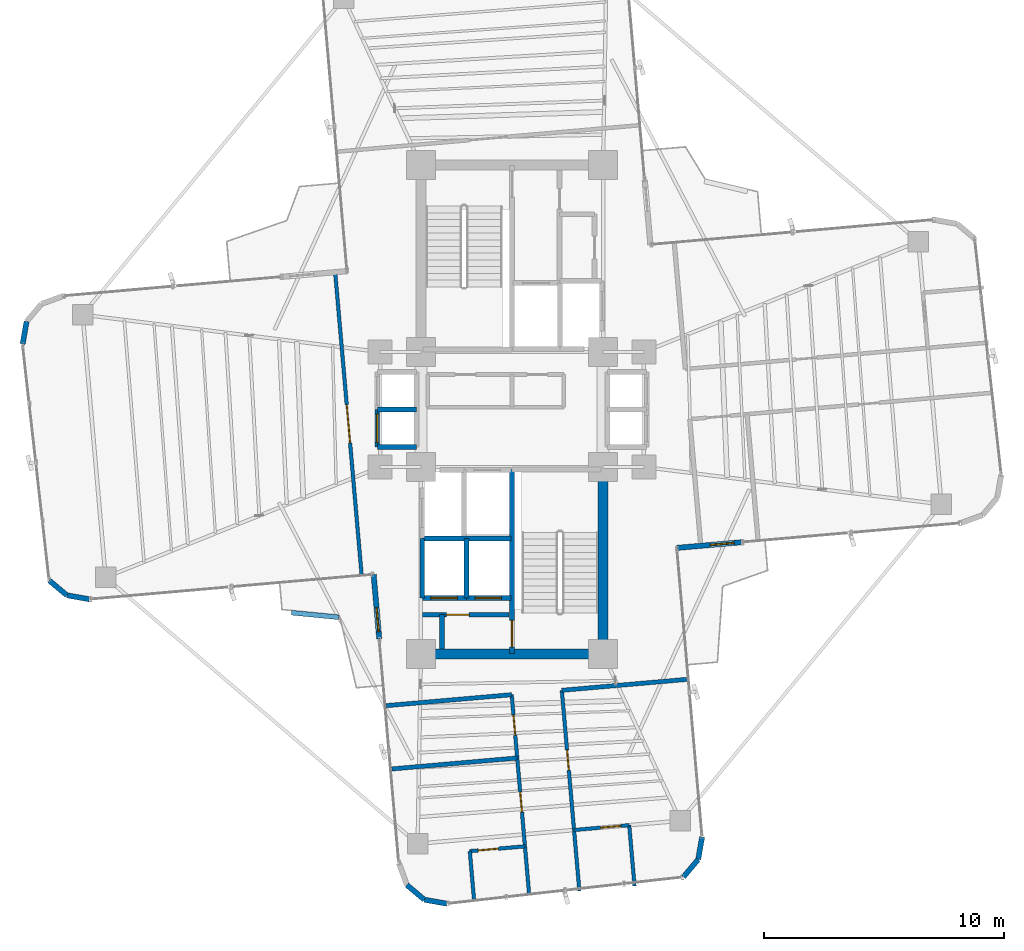
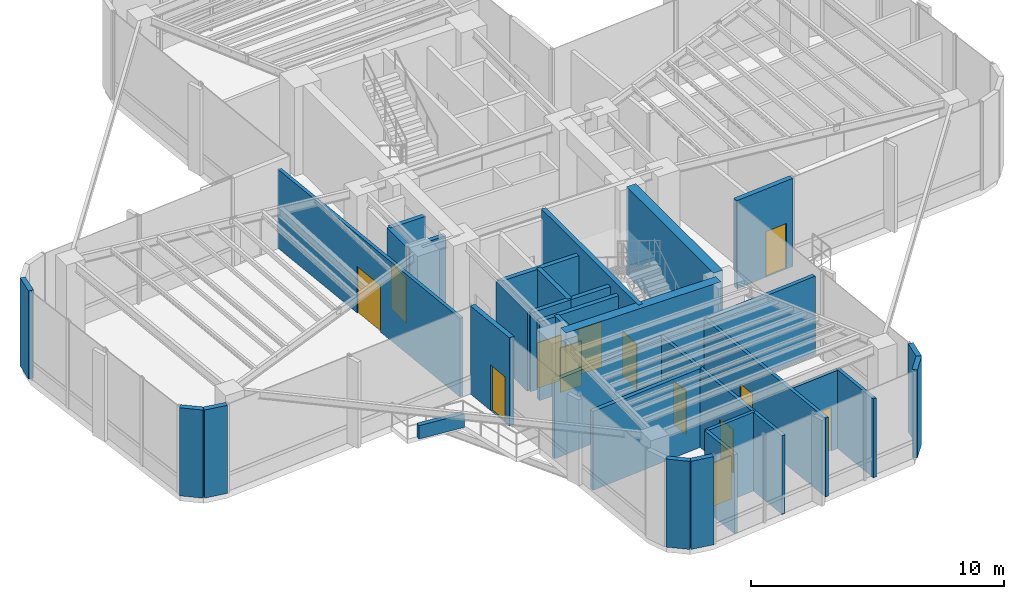
# One storey, part 16 of 19: 33 walls, 13 doors, 13 openings.
"""IFC4 building model written with IfcOpenShell, lengths in metres."""

from ifc_helpers import new_model, si_unit, direction, frame, frame_2d, origin, origin_2d, place, context, subcontext, project, spatial, rectangle, extrude, source, transform, mapped, material, layer, layer_set, type_object, element, fill, save


model = new_model("IFC4")

# Units and contexts
model_context = context("Model", 3, precision=1e-05, world=origin(), true_north=direction((0.0, 1.0)))
body_context = subcontext(model_context, "Body", "Model", "MODEL_VIEW")
ifc_project = project(units=[si_unit("LENGTHUNIT", "METRE"), si_unit("AREAUNIT", "SQUARE_METRE"), si_unit("VOLUMEUNIT", "CUBIC_METRE"), si_unit("PLANEANGLEUNIT", "RADIAN"), si_unit("MASSUNIT", "GRAM", prefix="KILO")], contexts=[model_context])

# Site, building, storey
site_placement = place(None, origin())
site = spatial("IfcSite", under=ifc_project, at=site_placement, CompositionType="ELEMENT")
building_placement = place(site_placement, origin())
building = spatial("IfcBuilding", under=site, at=building_placement, Name="Sahyath Konkavel Grand Hotel", CompositionType="ELEMENT")
storey_placement = place(building_placement, frame((0.0, 0.0, 142.75)))
storey = spatial("IfcBuildingStorey", under=building, at=storey_placement, Name="L39", CompositionType="ELEMENT", Elevation=142.75)

# Walls
ifc_material_1 = material(Name="Concrete C50/60", Category="concrete")
ifc_layer_1 = layer(ifc_material_1, 0.419921875)
ifc_layer_set_1 = layer_set([ifc_layer_1], Name="Concrete C50/60")
wall_type_1 = type_object("IfcWallType", Name="CWALL-420", PredefinedType="SHEAR", material=ifc_layer_set_1)
wall_1_placement = place(storey_placement, frame((-3.550048828125, -10.199951171875, 0.0), z_axis=(0.0, 0.0, 1.0), x_axis=(1.0, 0.0, 0.0)))
element("IfcWall", 1, at=wall_1_placement, inside=storey, type_object=wall_type_1, Name="L39 South Core Shear Wall S", PredefinedType="SHEAR", context=body_context, shape_type="SweptSolid", body=[
    extrude(rectangle(XDim=7.10009765625, YDim=0.419921875, at=frame_2d((3.550048828125, 0.0))), origin(), (0.0, 0.0, 1.0), 4.260009765625),
])
wall_2_placement = place(storey_placement, frame((3.800048828125, -9.75, 0.0), z_axis=(0.0, 0.0, 1.0), x_axis=(0.0, 1.0, 0.0)))
element("IfcWall", 2, at=wall_2_placement, inside=storey, type_object=wall_type_1, Name="L39 South Core Shear Wall E", PredefinedType="SHEAR", context=body_context, shape_type="SweptSolid", body=[
    extrude(rectangle(XDim=6.89990234375, YDim=0.419921875, at=frame_2d((3.449951171875, 0.0))), origin(), (0.0, 0.0, 1.0), 4.260009765625),
])

# Wall, opening, door
ifc_material_2 = material(Name="Warm Buff Sandstone Insulated Concrete C40/50", Category="masonry")
ifc_layer_2 = layer(ifc_material_2, 0.219970703125)
ifc_layer_set_2 = layer_set([ifc_layer_2], Name="Warm Buff Sandstone Insulated Concrete C40/50")
wall_type_2 = type_object("IfcWallType", Name="WLL-BALC-THRESH", PredefinedType="STANDARD", material=ifc_layer_set_2)
wall_3_placement = place(storey_placement, frame((6.87939453125, -5.7724609375, 0.0), z_axis=(0.0, 0.0, 1.0), x_axis=(0.996193619346, 0.087168071984, 0.0)))
wall_3 = element("IfcWall", 3, at=wall_3_placement, inside=storey, type_object=wall_type_2, Name="L39 Winter-Garden Threshold Wall 0", PredefinedType="STANDARD", context=body_context, shape_type="SweptSolid", body=[
    extrude(rectangle(XDim=2.699951171875, YDim=0.219970703125, at=frame_2d((1.35009765625, 0.0))), origin(), (0.0, 0.0, 1.0), 4.260009765625),
])
opening_1_placement = place(wall_3_placement, frame((1.39990234375, 0.0, 0.0)))
opening_1 = element("IfcOpeningElement", 4, at=opening_1_placement, cuts=wall_3, Name="Opening D-TR1", PredefinedType="OPENING", context=body_context, shape_type="SweptSolid", body=[
    extrude(rectangle(XDim=1.0, YDim=2.199951171875, at=frame_2d((0.5, 1.10009765625))), frame((0.0, 0.1201171875, 0.0), z_axis=(0.0, -1.0, 0.0), x_axis=(1.0, 0.0, 0.0)), (0.0, 0.0, 1.0), 0.239990234375),
])
ifc_material_3 = material(Name="Anodised Bronze Aluminium & Low-E Glazing", Category="aluminium")
door_type_1 = type_object("IfcDoorType", Name="DR-TERRACE-1000", OperationType="NOTDEFINED", PredefinedType="DOOR", material=ifc_material_3)
shared_shape_1 = source(origin(), body_context, "Body", "SweptSolid", [
    extrude(rectangle(XDim=1.0, YDim=0.050048828125, at=origin_2d()), origin(), (0.0, 0.0, 1.0), 2.199951171875),
])
door_1_placement = place(opening_1_placement, frame((0.5, 0.0, 0.0)))
door_1 = element("IfcDoor", 5, at=door_1_placement, inside=storey, type_object=door_type_1, Name="L39 Winter-Garden Terrace Door 0", OperationType="SINGLE_SWING_LEFT", OverallHeight=2.199951171875, OverallWidth=1.0, PredefinedType="DOOR", context=body_context, shape_type="MappedRepresentation", body=[
    mapped(shared_shape_1, transform((0.0, 0.0, 0.0), scale=1.0)),
])
fill(opening_1, door_1)

# Walls
wall_4_placement = place(storey_placement, frame((-20.24951171875, 3.674072265625, 0.0), z_axis=(0.0, 0.0, 1.0), x_axis=(-0.173610811841, -0.984814340885, 0.0)))
element("IfcWall", 6, at=wall_4_placement, inside=storey, type_object=wall_type_2, Name="L39 Rounded Corner Sandstone Pier 19", PredefinedType="STANDARD", context=body_context, shape_type="SweptSolid", body=[
    extrude(rectangle(XDim=0.957763671875, YDim=0.219970703125, at=frame_2d((0.47900390625, 0.0))), origin(), (0.0, 0.0, 1.0), 4.260009765625),
])
wall_5_placement = place(storey_placement, frame((-19.3037109375, -7.134521484375, 0.0), z_axis=(0.0, 0.0, 1.0), x_axis=(0.766001159887, -0.642839189107, 0.0)))
element("IfcWall", 7, at=wall_5_placement, inside=storey, type_object=wall_type_2, Name="L39 Rounded Corner Sandstone Pier 21", PredefinedType="STANDARD", context=body_context, shape_type="SweptSolid", body=[
    extrude(rectangle(XDim=0.95751953125, YDim=0.219970703125, at=frame_2d((0.478759765625, 0.0))), origin(), (0.0, 0.0, 1.0), 4.260009765625),
])
wall_6_placement = place(storey_placement, frame((-18.5703125, -7.75, 0.0), z_axis=(0.0, 0.0, 1.0), x_axis=(0.984770724397, -0.173858046606, 0.0)))
element("IfcWall", 8, at=wall_6_placement, inside=storey, type_object=wall_type_2, Name="L39 Rounded Corner Sandstone Pier 22", PredefinedType="STANDARD", context=body_context, shape_type="SweptSolid", body=[
    extrude(rectangle(XDim=0.957763671875, YDim=0.219970703125, at=frame_2d((0.47900390625, 0.0))), origin(), (0.0, 0.0, 1.0), 4.260009765625),
])

# Wall, opening, door
wall_7_placement = place(storey_placement, frame((-5.7724609375, -6.87939453125, 0.0), z_axis=(0.0, 0.0, 1.0), x_axis=(0.087168071984, -0.996193619346, 0.0)))
wall_7 = element("IfcWall", 9, at=wall_7_placement, inside=storey, type_object=wall_type_2, Name="L39 Winter-Garden Threshold Wall 24", PredefinedType="STANDARD", context=body_context, shape_type="SweptSolid", body=[
    extrude(rectangle(XDim=2.699951171875, YDim=0.219970703125, at=frame_2d((1.35009765625, 0.0))), origin(), (0.0, 0.0, 1.0), 4.260009765625),
])
opening_2_placement = place(wall_7_placement, frame((1.39990234375, 0.0, 0.0)))
opening_2 = element("IfcOpeningElement", 10, at=opening_2_placement, cuts=wall_7, Name="Opening D-TR1", PredefinedType="OPENING", context=body_context, shape_type="SweptSolid", body=[
    extrude(rectangle(XDim=1.0, YDim=2.199951171875, at=frame_2d((0.5, 1.10009765625))), frame((0.0, 0.1201171875, 0.0), z_axis=(0.0, -1.0, 0.0), x_axis=(1.0, 0.0, 0.0)), (0.0, 0.0, 1.0), 0.239990234375),
])
door_2_placement = place(opening_2_placement, frame((0.5, 0.0, 0.0)))
door_2 = element("IfcDoor", 11, at=door_2_placement, inside=storey, type_object=door_type_1, Name="L39 Winter-Garden Terrace Door 24", OperationType="SINGLE_SWING_LEFT", OverallHeight=2.199951171875, OverallWidth=1.0, PredefinedType="DOOR", context=body_context, shape_type="MappedRepresentation", body=[
    mapped(shared_shape_1, transform((0.0, 0.0, 0.0), scale=1.0)),
])
fill(opening_2, door_2)

# Walls
for number, where, z_axis, x_axis, name in (
    (12, (-4.390380859375, -19.8330078125, 0.0), (0.0, 0.0, 1.0), (0.765980978054, -0.642863236823, 0.0), "L39 Rounded Corner Sandstone Pier 26"),
    (13, (-3.65673828125, -20.44873046875, 0.0), (0.0, 0.0, 1.0), (0.984814340885, -0.173610811841, 0.0), "L39 Rounded Corner Sandstone Pier 27"),
):
    element("IfcWall", number, at=place(storey_placement, frame(where, z_axis=z_axis, x_axis=x_axis)), inside=storey, type_object=wall_type_2, Name=name, PredefinedType="STANDARD", context=body_context, shape_type="SweptSolid", body=[
        extrude(rectangle(XDim=0.957763671875, YDim=0.219970703125, at=frame_2d((0.47900390625, 0.0))), origin(), (0.0, 0.0, 1.0), 4.260009765625),
    ])
for number, where, z_axis, x_axis, name in (
    (14, (7.152099609375, -19.5029296875, 0.0), (0.0, 0.0, 1.0), (0.642713642115, 0.766106503196, 0.0), "L39 Rounded Corner Sandstone Pier 29"),
    (15, (7.767578125, -18.769287109375, 0.0), (0.0, 0.0, 1.0), (0.173654409999, 0.984806654064, 0.0), "L39 Rounded Corner Sandstone Pier 30"),
):
    element("IfcWall", number, at=place(storey_placement, frame(where, z_axis=z_axis, x_axis=x_axis)), inside=storey, type_object=wall_type_2, Name=name, PredefinedType="STANDARD", context=body_context, shape_type="SweptSolid", body=[
        extrude(rectangle(XDim=0.95751953125, YDim=0.219970703125, at=frame_2d((0.478759765625, 0.0))), origin(), (0.0, 0.0, 1.0), 4.260009765625),
    ])

# Wall, opening, door
ifc_material_4 = material(Name="Concrete C40/50", Category="concrete")
ifc_layer_3 = layer(ifc_material_4, 0.199951171875)
ifc_layer_set_3 = layer_set([ifc_layer_3], Name="Concrete C40/50")
wall_type_3 = type_object("IfcWallType", Name="WLL-CORE-200", PredefinedType="SOLIDWALL", material=ifc_layer_set_3)
wall_8_placement = place(storey_placement, frame((0.0, -10.179931640625, 0.0), z_axis=(0.0, 0.0, 1.0), x_axis=(0.0, 1.0, 0.0)))
wall_8 = element("IfcWall", 16, at=wall_8_placement, inside=storey, type_object=wall_type_3, Name="L39 Stair ST-2 Shaft Wall W", PredefinedType="SOLIDWALL", context=body_context, shape_type="SweptSolid", body=[
    extrude(rectangle(XDim=7.679931640625, YDim=0.199951171875, at=frame_2d((3.83984375, 0.0))), origin(), (0.0, 0.0, 1.0), 4.260009765625),
])
opening_3_placement = place(wall_8_placement, frame((0.280029296875, 0.0, 0.0)))
opening_3 = element("IfcOpeningElement", 17, at=opening_3_placement, cuts=wall_8, Name="Opening D-F12B", PredefinedType="OPENING", context=body_context, shape_type="SweptSolid", body=[
    extrude(rectangle(XDim=1.10009765625, YDim=2.14990234375, at=frame_2d((0.550048828125, 1.074951171875))), frame((0.0, 0.10986328125, 0.0), z_axis=(0.0, -1.0, 0.0), x_axis=(1.0, 0.0, 0.0)), (0.0, 0.0, 1.0), 0.219970703125),
])
ifc_material_5 = material(Name="Steel E350 Smokeproof Fire Door", Category="steel")
door_type_2 = type_object("IfcDoorType", Name="DR-FD120-1100", OperationType="NOTDEFINED", PredefinedType="DOOR", material=ifc_material_5)
shared_shape_2 = source(origin(), body_context, "Body", "SweptSolid", [
    extrude(rectangle(XDim=1.10009765625, YDim=0.050048828125, at=origin_2d()), origin(), (0.0, 0.0, 1.0), 2.14990234375),
])
door_3_placement = place(opening_3_placement, frame((0.550048828125, 0.0, 0.0)))
door_3 = element("IfcDoor", 18, at=door_3_placement, inside=storey, type_object=door_type_2, Name="L39 Stair ST-2 Fire Door", OperationType="SINGLE_SWING_RIGHT", OverallHeight=2.14990234375, OverallWidth=1.10009765625, PredefinedType="DOOR", context=body_context, shape_type="MappedRepresentation", body=[
    mapped(shared_shape_2, transform((0.0, 0.0, 0.0), scale=1.0)),
])
fill(opening_3, door_3)

# Wall
wall_9_placement = place(storey_placement, frame((-3.739990234375, -7.860107421875, 0.0), z_axis=(0.0, 0.0, 1.0), x_axis=(0.0, 1.0, 0.0)))
element("IfcWall", 19, at=wall_9_placement, inside=storey, type_object=wall_type_3, Name="L39 Partition SH-PL3-W", PredefinedType="SOLIDWALL", context=body_context, shape_type="SweptSolid", body=[
    extrude(rectangle(XDim=2.480224609375, YDim=0.199951171875, at=frame_2d((1.240234375, 0.0))), origin(), (0.0, 0.0, 1.0), 3.81005859375),
])

# Wall, opening, door
wall_10_placement = place(storey_placement, frame((-3.739990234375, -7.860107421875, 0.0), z_axis=(0.0, 0.0, 1.0), x_axis=(1.0, 0.0, 0.0)))
wall_10 = element("IfcWall", 20, at=wall_10_placement, inside=storey, type_object=wall_type_3, Name="L39 Partition SH-PL3-S", PredefinedType="SOLIDWALL", context=body_context, shape_type="SweptSolid", body=[
    extrude(rectangle(XDim=1.840087890625, YDim=0.199951171875, at=frame_2d((0.919921875, 0.0))), origin(), (0.0, 0.0, 1.0), 3.81005859375),
])
opening_4_placement = place(wall_10_placement, frame((0.360107421875, 0.0, 0.0)))
opening_4 = element("IfcOpeningElement", 21, at=opening_4_placement, cuts=wall_10, Name="Opening LD-11", PredefinedType="OPENING", context=body_context, shape_type="SweptSolid", body=[
    extrude(rectangle(XDim=1.10009765625, YDim=2.199951171875, at=frame_2d((0.550048828125, 1.10009765625))), frame((0.0, 0.10986328125, 0.0), z_axis=(0.0, -1.0, 0.0), x_axis=(1.0, 0.0, 0.0)), (0.0, 0.0, 1.0), 0.219970703125),
])
ifc_material_6 = material(Name="Bronze Lift Landing Door 1100")
door_type_3 = type_object("IfcDoorType", Name="DR-LIFT-1100", OperationType="DOUBLE_DOOR_SLIDING", PredefinedType="DOOR", material=ifc_material_6)
shared_shape_3 = source(origin(), body_context, "Body", "SweptSolid", [
    extrude(rectangle(XDim=1.10009765625, YDim=0.050048828125, at=origin_2d()), origin(), (0.0, 0.0, 1.0), 2.199951171875),
])
door_4_placement = place(opening_4_placement, frame((0.550048828125, 0.0, 0.0)))
door_4 = element("IfcDoor", 22, at=door_4_placement, inside=storey, type_object=door_type_3, Name="L39 Passenger Lift PL-3 Landing Door", OperationType="DOUBLE_DOOR_SLIDING", OverallHeight=2.199951171875, OverallWidth=1.10009765625, PredefinedType="DOOR", context=body_context, shape_type="MappedRepresentation", body=[
    mapped(shared_shape_3, transform((0.0, 0.0, 0.0), scale=1.0)),
])
fill(opening_4, door_4)

# Walls
wall_11_placement = place(storey_placement, frame((-3.739990234375, -5.3798828125, 0.0), z_axis=(0.0, 0.0, 1.0), x_axis=(1.0, 0.0, 0.0)))
element("IfcWall", 23, at=wall_11_placement, inside=storey, type_object=wall_type_3, Name="L39 Partition SH-PL34-N", PredefinedType="SOLIDWALL", context=body_context, shape_type="SweptSolid", body=[
    extrude(rectangle(XDim=3.68994140625, YDim=0.199951171875, at=frame_2d((1.844970703125, 0.0))), origin(), (0.0, 0.0, 1.0), 3.81005859375),
])
wall_12_placement = place(storey_placement, frame((-1.89990234375, -7.860107421875, 0.0), z_axis=(0.0, 0.0, 1.0), x_axis=(0.0, 1.0, 0.0)))
element("IfcWall", 24, at=wall_12_placement, inside=storey, type_object=wall_type_3, Name="L39 Partition SH-PL34-M", PredefinedType="SOLIDWALL", context=body_context, shape_type="SweptSolid", body=[
    extrude(rectangle(XDim=2.480224609375, YDim=0.199951171875, at=frame_2d((1.240234375, 0.0))), origin(), (0.0, 0.0, 1.0), 3.81005859375),
])

# Wall, opening, door
wall_13_placement = place(storey_placement, frame((-1.89990234375, -7.860107421875, 0.0), z_axis=(0.0, 0.0, 1.0), x_axis=(1.0, 0.0, 0.0)))
wall_13 = element("IfcWall", 25, at=wall_13_placement, inside=storey, type_object=wall_type_3, Name="L39 Partition SH-PL4-S", PredefinedType="SOLIDWALL", context=body_context, shape_type="SweptSolid", body=[
    extrude(rectangle(XDim=1.849853515625, YDim=0.199951171875, at=frame_2d((0.9248046875, 0.0))), origin(), (0.0, 0.0, 1.0), 3.81005859375),
])
opening_5_placement = place(wall_13_placement, frame((0.360107421875, 0.0, 0.0)))
opening_5 = element("IfcOpeningElement", 26, at=opening_5_placement, cuts=wall_13, Name="Opening LD-11", PredefinedType="OPENING", context=body_context, shape_type="SweptSolid", body=[
    extrude(rectangle(XDim=1.10009765625, YDim=2.199951171875, at=frame_2d((0.550048828125, 1.10009765625))), frame((0.0, 0.10986328125, 0.0), z_axis=(0.0, -1.0, 0.0), x_axis=(1.0, 0.0, 0.0)), (0.0, 0.0, 1.0), 0.219970703125),
])
door_5_placement = place(opening_5_placement, frame((0.550048828125, 0.0, 0.0)))
door_5 = element("IfcDoor", 27, at=door_5_placement, inside=storey, type_object=door_type_3, Name="L39 Passenger Lift PL-4 Landing Door", OperationType="DOUBLE_DOOR_SLIDING", OverallHeight=2.199951171875, OverallWidth=1.10009765625, PredefinedType="DOOR", context=body_context, shape_type="MappedRepresentation", body=[
    mapped(shared_shape_3, transform((0.0, 0.0, 0.0), scale=1.0)),
])
fill(opening_5, door_5)

# Walls
for number, where, z_axis, x_axis, name in (
    (28, (-5.6201171875, -1.56005859375, 0.0), (0.0, 0.0, 1.0), (1.0, 0.0, 0.0), "L39 Partition SH-SL12-S"),
    (29, (-5.6201171875, 0.0, 0.0), (0.0, 0.0, 1.0), (1.0, 0.0, 0.0), "L39 Partition SH-SL12-M"),
):
    element("IfcWall", number, at=place(storey_placement, frame(where, z_axis=z_axis, x_axis=x_axis)), inside=storey, type_object=wall_type_3, Name=name, PredefinedType="SOLIDWALL", context=body_context, shape_type="SweptSolid", body=[
        extrude(rectangle(XDim=1.64013671875, YDim=0.199951171875, at=frame_2d((0.820068359375, 0.0))), origin(), (0.0, 0.0, 1.0), 3.81005859375),
    ])

# Wall, opening, door
wall_14_placement = place(storey_placement, frame((-5.6201171875, -1.56005859375, 0.0), z_axis=(0.0, 0.0, 1.0), x_axis=(0.0, 1.0, 0.0)))
wall_14 = element("IfcWall", 30, at=wall_14_placement, inside=storey, type_object=wall_type_3, Name="L39 Partition SH-SL2-W", PredefinedType="SOLIDWALL", context=body_context, shape_type="SweptSolid", body=[
    extrude(rectangle(XDim=1.56005859375, YDim=0.199951171875, at=frame_2d((0.780029296875, 0.0))), origin(), (0.0, 0.0, 1.0), 3.81005859375),
])
opening_6_placement = place(wall_14_placement, frame((0.179931640625, 0.0, 0.0)))
opening_6 = element("IfcOpeningElement", 31, at=opening_6_placement, cuts=wall_14, Name="Opening LD-12", PredefinedType="OPENING", context=body_context, shape_type="SweptSolid", body=[
    extrude(rectangle(XDim=1.199951171875, YDim=2.199951171875, at=frame_2d((0.60009765625, 1.10009765625))), frame((0.0, 0.10986328125, 0.0), z_axis=(0.0, -1.0, 0.0), x_axis=(1.0, 0.0, 0.0)), (0.0, 0.0, 1.0), 0.219970703125),
])
ifc_material_7 = material(Name="Stainless Steel Lift Landing Door 1200", Category="steel")
door_type_4 = type_object("IfcDoorType", Name="DR-LIFT-1200", OperationType="DOUBLE_DOOR_SLIDING", PredefinedType="DOOR", material=ifc_material_7)
shared_shape_4 = source(origin(), body_context, "Body", "SweptSolid", [
    extrude(rectangle(XDim=1.199951171875, YDim=0.050048828125, at=origin_2d()), origin(), (0.0, 0.0, 1.0), 2.199951171875),
])
door_6_placement = place(opening_6_placement, frame((0.60009765625, 0.0, 0.0)))
door_6 = element("IfcDoor", 32, at=door_6_placement, inside=storey, type_object=door_type_4, Name="L39 Express Shuttle SL-2 Landing Door", OperationType="DOUBLE_DOOR_SLIDING", OverallHeight=2.199951171875, OverallWidth=1.199951171875, PredefinedType="DOOR", context=body_context, shape_type="MappedRepresentation", body=[
    mapped(shared_shape_4, transform((0.0, 0.0, 0.0), scale=1.0)),
])
fill(opening_6, door_6)

wall_15_placement = place(storey_placement, frame((-3.739990234375, -8.56005859375, 0.0), z_axis=(0.0, 0.0, 1.0), x_axis=(1.0, 0.0, 0.0)))
wall_15 = element("IfcWall", 33, at=wall_15_placement, inside=storey, type_object=wall_type_3, Name="L39 South FF Lobby Separation Wall", PredefinedType="SOLIDWALL", context=body_context, shape_type="SweptSolid", body=[
    extrude(rectangle(XDim=3.619873046875, YDim=0.199951171875, at=frame_2d((1.81005859375, 0.0))), origin(), (0.0, 0.0, 1.0), 3.81005859375),
])
opening_7_placement = place(wall_15_placement, frame((1.0, 0.0, 0.0)))
opening_7 = element("IfcOpeningElement", 34, at=opening_7_placement, cuts=wall_15, Name="Opening D-F12C", PredefinedType="OPENING", context=body_context, shape_type="SweptSolid", body=[
    extrude(rectangle(XDim=0.949951171875, YDim=2.14990234375, at=frame_2d((0.47509765625, 1.074951171875))), frame((0.0, 0.10986328125, 0.0), z_axis=(0.0, -1.0, 0.0), x_axis=(1.0, 0.0, 0.0)), (0.0, 0.0, 1.0), 0.219970703125),
])
ifc_material_8 = material(Name="Steel E350 Plant Fire Door", Category="steel")
door_type_5 = type_object("IfcDoorType", Name="DR-FD120-950", OperationType="NOTDEFINED", PredefinedType="DOOR", material=ifc_material_8)
shared_shape_5 = source(origin(), body_context, "Body", "SweptSolid", [
    extrude(rectangle(XDim=0.949951171875, YDim=0.050048828125, at=origin_2d()), origin(), (0.0, 0.0, 1.0), 2.14990234375),
])
door_7_placement = place(opening_7_placement, frame((0.47509765625, 0.0, 0.0)))
door_7 = element("IfcDoor", 35, at=door_7_placement, inside=storey, type_object=door_type_5, Name="L39 South Firefighting Lobby Door", OperationType="SINGLE_SWING_LEFT", OverallHeight=2.14990234375, OverallWidth=0.949951171875, PredefinedType="DOOR", context=body_context, shape_type="MappedRepresentation", body=[
    mapped(shared_shape_5, transform((0.0, 0.0, 0.0), scale=1.0)),
])
fill(opening_7, door_7)

# Walls
wall_16_placement = place(storey_placement, frame((-2.919921875, -10.0, 0.0), z_axis=(0.0, 0.0, 1.0), x_axis=(0.0, 1.0, 0.0)))
element("IfcWall", 36, at=wall_16_placement, inside=storey, type_object=wall_type_3, Name="L39 Partition SFF-W2", PredefinedType="SOLIDWALL", context=body_context, shape_type="SweptSolid", body=[
    extrude(rectangle(XDim=1.43994140625, YDim=0.199951171875, at=frame_2d((0.719970703125, 0.0))), origin(), (0.0, 0.0, 1.0), 3.81005859375),
])
ifc_material_9 = material(Name="Twin-Stud Acoustic Gypsum Plasterboard Partition")
ifc_layer_4 = layer(ifc_material_9, 0.179931640625)
ifc_layer_set_4 = layer_set([ifc_layer_4], Name="Twin-Stud Acoustic Gypsum Plasterboard Partition")
wall_type_4 = type_object("IfcWallType", Name="WLL-DEMISE-180", PredefinedType="PARTITIONING", material=ifc_layer_set_4)
for number, where, z_axis, x_axis, name in (
    (37, (2.078857421875, -11.71337890625, 0.0), (0.0, 0.0, 1.0), (0.996195433508, 0.087147336495, 0.0), "L39 Partition L39-S-INL"),
    (38, (-5.2431640625, -12.35400390625, 0.0), (0.0, 0.0, 1.0), (0.996195433508, 0.087147336495, 0.0), "L39 Partition L39-S-INR"),
):
    element("IfcWall", number, at=place(storey_placement, frame(where, z_axis=z_axis, x_axis=x_axis)), inside=storey, type_object=wall_type_4, Name=name, PredefinedType="PARTITIONING", context=body_context, shape_type="SweptSolid", body=[
        extrude(rectangle(XDim=5.25, YDim=0.179931640625, at=frame_2d((2.625, 0.0))), origin(), (0.0, 0.0, 1.0), 3.780029296875),
    ])
wall_17_placement = place(storey_placement, frame((0.2177734375, -14.536376953125, 0.0), z_axis=(0.0, 0.0, 1.0), x_axis=(-0.996195433508, -0.087147336495, 0.0)))
element("IfcWall", 39, at=wall_17_placement, inside=storey, type_object=wall_type_4, Name="L39 Partition S-SSHKP-DEM", PredefinedType="PARTITIONING", context=body_context, shape_type="SweptSolid", body=[
    extrude(rectangle(XDim=5.25, YDim=0.179931640625, at=frame_2d((2.625, 0.0))), origin(), (0.0, 0.0, 1.0), 3.81005859375),
])

# Wall, opening, door
ifc_material_10 = material(Name="Fire-Rated Gypsum Plasterboard Partition")
ifc_layer_5 = layer(ifc_material_10, 0.14990234375)
ifc_layer_set_5 = layer_set([ifc_layer_5], Name="Fire-Rated Gypsum Plasterboard Partition")
wall_type_5 = type_object("IfcWallType", Name="WLL-PART-150", PredefinedType="PARTITIONING", material=ifc_layer_set_5)
wall_18_placement = place(storey_placement, frame((-7.373046875, 5.678955078125, 0.0), z_axis=(0.0, 0.0, 1.0), x_axis=(0.087154691724, -0.996194790044, 0.0)))
wall_18 = element("IfcWall", 40, at=wall_18_placement, inside=storey, type_object=wall_type_5, Name="L39 Partition L39-W-IN", PredefinedType="PARTITIONING", context=body_context, shape_type="SweptSolid", body=[
    extrude(rectangle(XDim=12.599853515625, YDim=0.14990234375, at=frame_2d((6.2998046875, 0.0))), origin(), (0.0, 0.0, 1.0), 3.81005859375),
])
opening_8_placement = place(wall_18_placement, frame((5.5, 0.0, 0.0)))
opening_8 = element("IfcOpeningElement", 41, at=opening_8_placement, cuts=wall_18, Name="Opening D-DB16", PredefinedType="OPENING", context=body_context, shape_type="SweptSolid", body=[
    extrude(rectangle(XDim=1.60009765625, YDim=2.25, at=frame_2d((0.800048828125, 1.125))), frame((0.0, 0.0849609375, 0.0), z_axis=(0.0, -1.0, 0.0), x_axis=(1.0, 0.0, 0.0)), (0.0, 0.0, 1.0), 0.169921875),
])
ifc_material_11 = material(Name="Double Leaf Lounge Glazed Timber Door", Category="wood")
door_type_6 = type_object("IfcDoorType", Name="DR-DBL-1600", OperationType="DOUBLE_DOOR_SINGLE_SWING", PredefinedType="DOOR", material=ifc_material_11)
shared_shape_6 = source(origin(), body_context, "Body", "SweptSolid", [
    extrude(rectangle(XDim=1.60009765625, YDim=0.050048828125, at=origin_2d()), origin(), (0.0, 0.0, 1.0), 2.25),
])
door_8_placement = place(opening_8_placement, frame((0.800048828125, 0.0, 0.0)))
door_8 = element("IfcDoor", 42, at=door_8_placement, inside=storey, type_object=door_type_6, Name="L39 Door L39-W-D", OperationType="DOUBLE_DOOR_SINGLE_SWING", OverallHeight=2.25, OverallWidth=1.60009765625, PredefinedType="DOOR", context=body_context, shape_type="MappedRepresentation", body=[
    mapped(shared_shape_6, transform((0.0, 0.0, 0.0), scale=1.0)),
])
fill(opening_8, door_8)

wall_19_placement = place(storey_placement, frame((2.078857421875, -11.71337890625, 0.0), z_axis=(0.0, 0.0, 1.0), x_axis=(0.087136303517, -0.996196398613, 0.0)))
wall_19 = element("IfcWall", 43, at=wall_19_placement, inside=storey, type_object=wall_type_5, Name="L39 Partition L39-S-CL", PredefinedType="PARTITIONING", context=body_context, shape_type="SweptSolid", body=[
    extrude(rectangle(XDim=8.39990234375, YDim=0.14990234375, at=frame_2d((4.199951171875, 0.0))), origin(), (0.0, 0.0, 1.0), 3.81005859375),
])
opening_9_placement = place(wall_19_placement, frame((2.5, 0.0, 0.0)))
opening_9 = element("IfcOpeningElement", 44, at=opening_9_placement, cuts=wall_19, Name="Opening D-F06D", PredefinedType="OPENING", context=body_context, shape_type="SweptSolid", body=[
    extrude(rectangle(XDim=0.85009765625, YDim=2.10009765625, at=frame_2d((0.425048828125, 1.050048828125))), frame((0.0, 0.0849609375, 0.0), z_axis=(0.0, -1.0, 0.0), x_axis=(1.0, 0.0, 0.0)), (0.0, 0.0, 1.0), 0.169921875),
])
ifc_material_12 = material(Name="Fire-Rated Shaft Access Door")
door_type_7 = type_object("IfcDoorType", Name="DR-FD60-850", OperationType="NOTDEFINED", PredefinedType="DOOR", material=ifc_material_12)
shared_shape_7 = source(origin(), body_context, "Body", "SweptSolid", [
    extrude(rectangle(XDim=0.85009765625, YDim=0.050048828125, at=origin_2d()), origin(), (0.0, 0.0, 1.0), 2.10009765625),
])
door_9_placement = place(opening_9_placement, frame((0.425048828125, 0.0, 0.0)))
door_9 = element("IfcDoor", 45, at=door_9_placement, inside=storey, type_object=door_type_7, Name="L39 Door S-SS1-ED", OperationType="SINGLE_SWING_RIGHT", OverallHeight=2.10009765625, OverallWidth=0.85009765625, PredefinedType="DOOR", context=body_context, shape_type="MappedRepresentation", body=[
    mapped(shared_shape_7, transform((0.0, 0.0, 0.0), scale=1.0)),
])
fill(opening_9, door_9)

# Wall, openings, doors
wall_20_placement = place(storey_placement, frame((-0.01318359375, -11.896484375, 0.0), z_axis=(0.0, 0.0, 1.0), x_axis=(0.087165147537, -0.996193875235, 0.0)))
wall_20 = element("IfcWall", 46, at=wall_20_placement, inside=storey, type_object=wall_type_5, Name="L39 Partition L39-S-CR", PredefinedType="PARTITIONING", context=body_context, shape_type="SweptSolid", body=[
    extrude(rectangle(XDim=8.39990234375, YDim=0.14990234375, at=frame_2d((4.199951171875, 0.0))), origin(), (0.0, 0.0, 1.0), 3.81005859375),
])
opening_10_placement = place(wall_20_placement, frame((0.85009765625, 0.0, 0.0)))
opening_10 = element("IfcOpeningElement", 47, at=opening_10_placement, cuts=wall_20, Name="Opening D-F06D", PredefinedType="OPENING", context=body_context, shape_type="SweptSolid", body=[
    extrude(rectangle(XDim=0.85009765625, YDim=2.10009765625, at=frame_2d((0.425048828125, 1.050048828125))), frame((0.0, 0.0849609375, 0.0), z_axis=(0.0, -1.0, 0.0), x_axis=(1.0, 0.0, 0.0)), (0.0, 0.0, 1.0), 0.169921875),
])
opening_11_placement = place(wall_20_placement, frame((4.074951171875, 0.0, 0.0)))
opening_11 = element("IfcOpeningElement", 48, at=opening_11_placement, cuts=wall_20, Name="Opening D-F06D", PredefinedType="OPENING", context=body_context, shape_type="SweptSolid", body=[
    extrude(rectangle(XDim=0.85009765625, YDim=2.10009765625, at=frame_2d((0.425048828125, 1.050048828125))), frame((0.0, 0.0849609375, 0.0), z_axis=(0.0, -1.0, 0.0), x_axis=(1.0, 0.0, 0.0)), (0.0, 0.0, 1.0), 0.169921875),
])
door_10_placement = place(opening_10_placement, frame((0.425048828125, 0.0, 0.0)))
door_10 = element("IfcDoor", 49, at=door_10_placement, inside=storey, type_object=door_type_7, Name="L39 Door S-SSHKP-D", OperationType="SINGLE_SWING_LEFT", OverallHeight=2.10009765625, OverallWidth=0.85009765625, PredefinedType="DOOR", context=body_context, shape_type="MappedRepresentation", body=[
    mapped(shared_shape_7, transform((0.0, 0.0, 0.0), scale=1.0)),
])
fill(opening_10, door_10)
door_11_placement = place(opening_11_placement, frame((0.425048828125, 0.0, 0.0)))
door_11 = element("IfcDoor", 50, at=door_11_placement, inside=storey, type_object=door_type_7, Name="L39 Door S-SS2-ED", OperationType="SINGLE_SWING_LEFT", OverallHeight=2.10009765625, OverallWidth=0.85009765625, PredefinedType="DOOR", context=body_context, shape_type="MappedRepresentation", body=[
    mapped(shared_shape_7, transform((0.0, 0.0, 0.0), scale=1.0)),
])
fill(opening_11, door_11)

# Wall, opening, door
wall_21_placement = place(storey_placement, frame((2.588623046875, -17.541015625, 0.0), z_axis=(0.0, 0.0, 1.0), x_axis=(0.99620082659, 0.087085665299, 0.0)))
wall_21 = element("IfcWall", 51, at=wall_21_placement, inside=storey, type_object=wall_type_5, Name="L39 Partition S-SS1-BS", PredefinedType="PARTITIONING", context=body_context, shape_type="SweptSolid", body=[
    extrude(rectangle(XDim=2.31005859375, YDim=0.14990234375, at=frame_2d((1.155029296875, 0.0))), origin(), (0.0, 0.0, 1.0), 3.780029296875),
])
opening_12_placement = place(wall_21_placement, frame((1.110107421875, 0.0, 0.0)))
opening_12 = element("IfcOpeningElement", 52, at=opening_12_placement, cuts=wall_21, Name="Opening D-BT85", PredefinedType="OPENING", context=body_context, shape_type="SweptSolid", body=[
    extrude(rectangle(XDim=0.85009765625, YDim=2.10009765625, at=frame_2d((0.425048828125, 1.050048828125))), frame((0.0, 0.0849609375, 0.0), z_axis=(0.0, -1.0, 0.0), x_axis=(1.0, 0.0, 0.0)), (0.0, 0.0, 1.0), 0.169921875),
])
ifc_material_13 = material(Name="Moisture-Resistant Teak Bathroom Door")
door_type_8 = type_object("IfcDoorType", Name="DR-BATH-850", OperationType="NOTDEFINED", PredefinedType="DOOR", material=ifc_material_13)
door_12_placement = place(opening_12_placement, frame((0.425048828125, 0.0, 0.0)))
door_12 = element("IfcDoor", 53, at=door_12_placement, inside=storey, type_object=door_type_8, Name="L39 Door S-SS1-BD", OperationType="SINGLE_SWING_LEFT", OverallHeight=2.10009765625, OverallWidth=0.85009765625, PredefinedType="DOOR", context=body_context, shape_type="MappedRepresentation", body=[
    mapped(shared_shape_7, transform((0.0, 0.0, 0.0), scale=1.0)),
])
fill(opening_12, door_12)

# Wall
wall_22_placement = place(storey_placement, frame((4.889892578125, -17.33984375, 0.0), z_axis=(0.0, 0.0, 1.0), x_axis=(0.087125381265, -0.996197353911, 0.0)))
element("IfcWall", 54, at=wall_22_placement, inside=storey, type_object=wall_type_5, Name="L39 Partition S-SS1-BF", PredefinedType="PARTITIONING", context=body_context, shape_type="SweptSolid", body=[
    extrude(rectangle(XDim=2.550048828125, YDim=0.14990234375, at=frame_2d((1.27490234375, 0.0))), origin(), (0.0, 0.0, 1.0), 3.81005859375),
])

# Wall, opening, door
wall_23_placement = place(storey_placement, frame((0.540283203125, -18.222412109375, 0.0), z_axis=(0.0, 0.0, 1.0), x_axis=(-0.99620082659, -0.087085665299, 0.0)))
wall_23 = element("IfcWall", 55, at=wall_23_placement, inside=storey, type_object=wall_type_5, Name="L39 Partition S-SS2-BS", PredefinedType="PARTITIONING", context=body_context, shape_type="SweptSolid", body=[
    extrude(rectangle(XDim=2.31005859375, YDim=0.14990234375, at=frame_2d((1.155029296875, 0.0))), origin(), (0.0, 0.0, 1.0), 3.81005859375),
])
opening_13_placement = place(wall_23_placement, frame((1.110107421875, 0.0, 0.0)))
opening_13 = element("IfcOpeningElement", 56, at=opening_13_placement, cuts=wall_23, Name="Opening D-BT85", PredefinedType="OPENING", context=body_context, shape_type="SweptSolid", body=[
    extrude(rectangle(XDim=0.85009765625, YDim=2.10009765625, at=frame_2d((0.425048828125, 1.050048828125))), frame((0.0, 0.0849609375, 0.0), z_axis=(0.0, -1.0, 0.0), x_axis=(1.0, 0.0, 0.0)), (0.0, 0.0, 1.0), 0.169921875),
])
door_13_placement = place(opening_13_placement, frame((0.425048828125, 0.0, 0.0)))
door_13 = element("IfcDoor", 57, at=door_13_placement, inside=storey, type_object=door_type_8, Name="L39 Door S-SS2-BD", OperationType="SINGLE_SWING_RIGHT", OverallHeight=2.10009765625, OverallWidth=0.85009765625, PredefinedType="DOOR", context=body_context, shape_type="MappedRepresentation", body=[
    mapped(shared_shape_7, transform((0.0, 0.0, 0.0), scale=1.0)),
])
fill(opening_13, door_13)

# Walls
wall_24_placement = place(storey_placement, frame((-1.760986328125, -18.423583984375, 0.0), z_axis=(0.0, 0.0, 1.0), x_axis=(0.087174336889, -0.99619307114, 0.0)))
element("IfcWall", 58, at=wall_24_placement, inside=storey, type_object=wall_type_5, Name="L39 Partition S-SS2-BF", PredefinedType="PARTITIONING", context=body_context, shape_type="SweptSolid", body=[
    extrude(rectangle(XDim=2.050048828125, YDim=0.14990234375, at=frame_2d((1.02490234375, 0.0))), origin(), (0.0, 0.0, 1.0), 3.81005859375),
])
ifc_material_14 = material(Name="Warm Buff Sandstone Planter Wall", Category="masonry")
ifc_layer_6 = layer(ifc_material_14, 0.199951171875)
ifc_layer_set_6 = layer_set([ifc_layer_6], Name="Warm Buff Sandstone Planter Wall")
wall_type_6 = type_object("IfcWallType", Name="WLL-PLANTER-200", PredefinedType="PARAPET", material=ifc_layer_set_6)
wall_25_placement = place(storey_placement, frame((-9.198486328125, -8.4755859375, 0.0), z_axis=(0.0, 0.0, 1.0), x_axis=(0.995277839455, -0.097067101997, 0.0)))
element("IfcWall", 59, at=wall_25_placement, inside=storey, type_object=wall_type_6, Name="L39 Sky-Garden Stone Planter PLANTER SW", PredefinedType="PARAPET", context=body_context, shape_type="SweptSolid", body=[
    extrude(rectangle(XDim=1.974365234375, YDim=0.199951171875, at=frame_2d((0.9873046875, 0.0))), origin(), (0.0, 0.0, 1.0), 0.64990234375),
])

save(model, "model.ifc")
